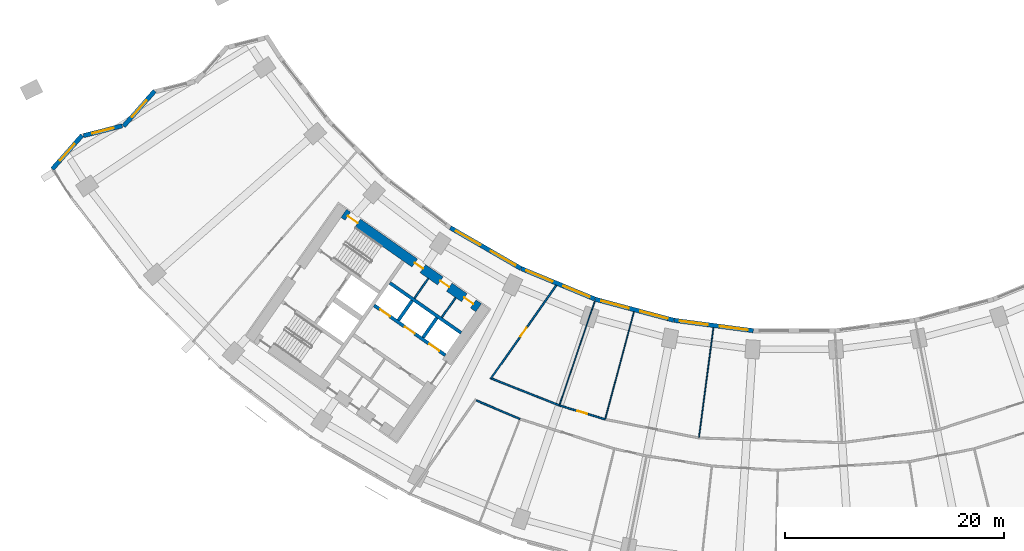
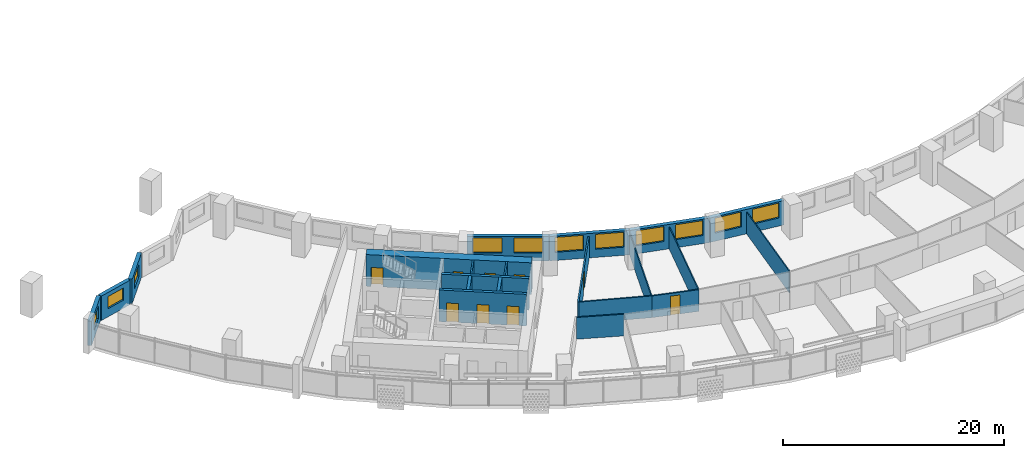
# One storey, part 4 of 31: 21 walls, 11 windows, 9 doors, 20 openings.
"""IFC4 building model written with IfcOpenShell, lengths in metres."""

from ifc_helpers import new_model, si_unit, direction, frame, frame_2d, origin, place, context, subcontext, project, spatial, rectangle, extrude, material, layer, layer_set, type_object, element, fill, save


model = new_model("IFC4")

# Units and contexts
model_context = context("Model", 3, precision=1e-05, world=origin(), true_north=direction((0.0, 1.0)))
body_context = subcontext(model_context, "Body", "Model", "MODEL_VIEW")
ifc_project = project(units=[si_unit("LENGTHUNIT", "METRE"), si_unit("AREAUNIT", "SQUARE_METRE"), si_unit("VOLUMEUNIT", "CUBIC_METRE"), si_unit("PLANEANGLEUNIT", "RADIAN"), si_unit("MASSUNIT", "GRAM", prefix="KILO")], contexts=[model_context])

# Site, building, storey
site_placement = place(None, origin())
site = spatial("IfcSite", under=ifc_project, at=site_placement, CompositionType="ELEMENT")
building_placement = place(site_placement, origin())
building = spatial("IfcBuilding", under=site, at=building_placement, Name="Qamariyya Broadcast Tower", CompositionType="ELEMENT")
storey_placement = place(building_placement, frame((0.0, 0.0, 74.699951171875)))
storey = spatial("IfcBuildingStorey", under=building, at=storey_placement, Name="L15", CompositionType="ELEMENT", Elevation=74.699951171875)

# Wall, openings, doors
ifc_material_1 = material(Name="Concrete C70/85", Category="concrete")
ifc_layer_1 = layer(ifc_material_1, 0.89990234375)
ifc_layer_set_1 = layer_set([ifc_layer_1], Name="Core wall 900 mm Concrete C70/85")
wall_type_1 = type_object("IfcWallType", Name="Core wall 900 mm Concrete C70/85", PredefinedType="SHEAR", material=ifc_layer_set_1)
wall_1_placement = place(storey_placement, frame((-28.8544921875, -54.32421875, 0.0), z_axis=(0.0, 0.0, 1.0), x_axis=(-0.819145767589, 0.573585400304, 0.0)))
wall_1 = element("IfcWall", 1, at=wall_1_placement, inside=storey, type_object=wall_type_1, Name="k-W-L15-WI", PredefinedType="SHEAR", context=body_context, shape_type="SweptSolid", body=[
    extrude(rectangle(XDim=15.04541015625, YDim=0.89990234375, at=frame_2d((7.522705078125, 0.0))), origin(), (0.0, 0.0, 1.0), 3.5),
])
opening_1_placement = place(wall_1_placement, frame((0.60009765625, 0.0, 0.0)))
opening_1 = element("IfcOpeningElement", 2, at=opening_1_placement, cuts=wall_1, Name="Opening KD7-W1", PredefinedType="OPENING", context=body_context, shape_type="SweptSolid", body=[
    extrude(rectangle(XDim=1.0, YDim=2.10009765625, at=frame_2d((0.5, 1.050048828125))), frame((0.0, 0.4599609375, 0.0), z_axis=(0.0, -1.0, 0.0), x_axis=(1.0, 0.0, 0.0)), (0.0, 0.0, 1.0), 0.919921875),
])
opening_2_placement = place(wall_1_placement, frame((3.27490234375, 0.0, 0.0)))
opening_2 = element("IfcOpeningElement", 3, at=opening_2_placement, cuts=wall_1, Name="Opening KD6-W2", PredefinedType="OPENING", context=body_context, shape_type="SweptSolid", body=[
    extrude(rectangle(XDim=1.0, YDim=2.10009765625, at=frame_2d((0.5, 1.050048828125))), frame((0.0, 0.4599609375, 0.0), z_axis=(0.0, -1.0, 0.0), x_axis=(1.0, 0.0, 0.0)), (0.0, 0.0, 1.0), 0.919921875),
])
opening_3_placement = place(wall_1_placement, frame((6.22509765625, 0.0, 0.0)))
opening_3 = element("IfcOpeningElement", 4, at=opening_3_placement, cuts=wall_1, Name="Opening KD5-W1", PredefinedType="OPENING", context=body_context, shape_type="SweptSolid", body=[
    extrude(rectangle(XDim=0.89990234375, YDim=2.10009765625, at=frame_2d((0.449951171875, 1.050048828125))), frame((0.0, 0.4599609375, 0.0), z_axis=(0.0, -1.0, 0.0), x_axis=(1.0, 0.0, 0.0)), (0.0, 0.0, 1.0), 0.919921875),
])
opening_4_placement = place(wall_1_placement, frame((13.495361328125, 0.0, 0.0)))
opening_4 = element("IfcOpeningElement", 5, at=opening_4_placement, cuts=wall_1, Name="Opening KD1-W1", PredefinedType="OPENING", context=body_context, shape_type="SweptSolid", body=[
    extrude(rectangle(XDim=1.10009765625, YDim=2.10009765625, at=frame_2d((0.550048828125, 1.050048828125))), frame((0.0, 0.4599609375, 0.0), z_axis=(0.0, -1.0, 0.0), x_axis=(1.0, 0.0, 0.0)), (0.0, 0.0, 1.0), 0.919921875),
])
ifc_material_2 = material(Name="Steel fire-resisting door leaf", Category="steel")
door_type_1 = type_object("IfcDoorType", Name="Accessible toilet door KD7", OperationType="SINGLE_SWING_LEFT", PredefinedType="DOOR", material=ifc_material_2)
door_1_placement = place(opening_1_placement, origin())
door_1 = element("IfcDoor", 6, at=door_1_placement, inside=storey, type_object=door_type_1, Name="k-W-L15-WI-D7", OperationType="SINGLE_SWING_RIGHT", OverallHeight=2.10009765625, OverallWidth=1.0, PredefinedType="DOOR", context=body_context, shape_type="SweptSolid", body=[
    extrude(rectangle(XDim=1.0, YDim=2.10009765625, at=frame_2d((0.5, 1.050048828125))), frame((0.0, 0.02490234375, 0.0), z_axis=(0.0, -1.0, 0.0), x_axis=(1.0, 0.0, 0.0)), (0.0, 0.0, 1.0), 0.050048828125),
])
fill(opening_1, door_1)
door_type_2 = type_object("IfcDoorType", Name="Core room door KD6", OperationType="SINGLE_SWING_LEFT", PredefinedType="DOOR", material=ifc_material_2)
door_2_placement = place(opening_2_placement, origin())
door_2 = element("IfcDoor", 7, at=door_2_placement, inside=storey, type_object=door_type_2, Name="k-W-L15-WI-D8", OperationType="SINGLE_SWING_LEFT", OverallHeight=2.10009765625, OverallWidth=1.0, PredefinedType="DOOR", context=body_context, shape_type="SweptSolid", body=[
    extrude(rectangle(XDim=1.0, YDim=2.10009765625, at=frame_2d((0.5, 1.050048828125))), frame((0.0, 0.02490234375, 0.0), z_axis=(0.0, -1.0, 0.0), x_axis=(1.0, 0.0, 0.0)), (0.0, 0.0, 1.0), 0.050048828125),
])
fill(opening_2, door_2)
door_type_3 = type_object("IfcDoorType", Name="Stair door KD1", OperationType="SINGLE_SWING_LEFT", PredefinedType="DOOR", material=ifc_material_2)
door_3_placement = place(opening_4_placement, origin())
door_3 = element("IfcDoor", 8, at=door_3_placement, inside=storey, type_object=door_type_3, Name="k-W-L15-WI-D16", OperationType="SINGLE_SWING_RIGHT", OverallHeight=2.10009765625, OverallWidth=1.10009765625, PredefinedType="DOOR", context=body_context, shape_type="SweptSolid", body=[
    extrude(rectangle(XDim=1.10009765625, YDim=2.10009765625, at=frame_2d((0.550048828125, 1.050048828125))), frame((0.0, 0.02490234375, 0.0), z_axis=(0.0, -1.0, 0.0), x_axis=(1.0, 0.0, 0.0)), (0.0, 0.0, 1.0), 0.050048828125),
])
fill(opening_4, door_3)
door_type_4 = type_object("IfcDoorType", Name="Toilet door KD5", OperationType="SINGLE_SWING_LEFT", PredefinedType="DOOR", material=ifc_material_2)
door_4_placement = place(opening_3_placement, origin())
door_4 = element("IfcDoor", 9, at=door_4_placement, inside=storey, type_object=door_type_4, Name="k-W-L15-WI-D9", OperationType="SINGLE_SWING_RIGHT", OverallHeight=2.10009765625, OverallWidth=0.89990234375, PredefinedType="DOOR", context=body_context, shape_type="SweptSolid", body=[
    extrude(rectangle(XDim=0.89990234375, YDim=2.10009765625, at=frame_2d((0.449951171875, 1.050048828125))), frame((0.0, 0.02490234375, 0.0), z_axis=(0.0, -1.0, 0.0), x_axis=(1.0, 0.0, 0.0)), (0.0, 0.0, 1.0), 0.050048828125),
])
fill(opening_3, door_4)

# Walls
ifc_material_3 = material(Name="Gypsum board partition")
ifc_layer_2 = layer(ifc_material_3, 0.14990234375)
ifc_layer_set_2 = layer_set([ifc_layer_2], Name="Corridor partition 150 EI 60")
wall_type_2 = type_object("IfcWallType", Name="Corridor partition 150 EI 60", PredefinedType="PARTITIONING", material=ifc_layer_set_2)
wall_2_placement = place(storey_placement, frame((-29.06201171875, -62.799072265625, 0.0), z_axis=(0.0, 0.0, 1.0), x_axis=(0.920023602502, -0.391862949052, 0.0)))
element("IfcWall", 10, at=wall_2_placement, inside=storey, type_object=wall_type_2, Name="Partition L15-003", PredefinedType="PARTITIONING", context=body_context, shape_type="SweptSolid", body=[
    extrude(rectangle(XDim=4.329345703125, YDim=0.14990234375, at=frame_2d((2.16455078125, 0.0))), origin(), (0.0, 0.0, 1.0), 2.400146484375),
])
wall_3_placement = place(storey_placement, frame((-27.6572265625, -60.801513671875, 0.0), z_axis=(0.0, 0.0, 1.0), x_axis=(0.929543215203, -0.368713182663, 0.0)))
element("IfcWall", 11, at=wall_3_placement, inside=storey, type_object=wall_type_2, Name="Partition L15-005", PredefinedType="PARTITIONING", context=body_context, shape_type="SweptSolid", body=[
    extrude(rectangle(XDim=6.65380859375, YDim=0.14990234375, at=frame_2d((3.326904296875, 0.0))), origin(), (0.0, 0.0, 1.0), 2.400146484375),
])

# Wall, opening, door
wall_4_placement = place(storey_placement, frame((-21.748291015625, -52.2763671875, 0.0), z_axis=(0.0, 0.0, 1.0), x_axis=(-0.575419434668, -0.817858468322, 0.0)))
wall_4 = element("IfcWall", 12, at=wall_4_placement, inside=storey, type_object=wall_type_2, Name="Partition L15-007", PredefinedType="PARTITIONING", context=body_context, shape_type="SweptSolid", body=[
    extrude(rectangle(XDim=10.46484375, YDim=0.14990234375, at=frame_2d((5.232421875, 0.0))), origin(), (0.0, 0.0, 1.0), 2.400146484375),
])
opening_5_placement = place(wall_4_placement, frame((4.732421875, 0.0, 0.0)))
opening_5 = element("IfcOpeningElement", 13, at=opening_5_placement, cuts=wall_4, Name="Opening L15-D10", PredefinedType="OPENING", context=body_context, shape_type="SweptSolid", body=[
    extrude(rectangle(XDim=1.0, YDim=2.10009765625, at=frame_2d((0.5, 1.050048828125))), frame((0.0, 0.0849609375, 0.0), z_axis=(0.0, -1.0, 0.0), x_axis=(1.0, 0.0, 0.0)), (0.0, 0.0, 1.0), 0.169921875),
])
ifc_material_4 = material(Name="Timber fire door leaf", Category="wood")
door_type_5 = type_object("IfcDoorType", Name="Fire door 1000 x 2100 FD60", OperationType="NOTDEFINED", PredefinedType="DOOR", material=ifc_material_4)
door_5_placement = place(opening_5_placement, origin())
door_5 = element("IfcDoor", 14, at=door_5_placement, inside=storey, type_object=door_type_5, Name="Door L15-D10", OperationType="SINGLE_SWING_RIGHT", OverallHeight=2.10009765625, OverallWidth=1.0, PredefinedType="DOOR", context=body_context, shape_type="SweptSolid", body=[
    extrude(rectangle(XDim=1.0, YDim=2.10009765625, at=frame_2d((0.5, 1.050048828125))), frame((0.0, 0.02490234375, 0.0), z_axis=(0.0, -1.0, 0.0), x_axis=(1.0, 0.0, 0.0)), (0.0, 0.0, 1.0), 0.050048828125),
])
fill(opening_5, door_5)

wall_5_placement = place(storey_placement, frame((-21.47216796875, -63.2548828125, 0.0), z_axis=(0.0, 0.0, 1.0), x_axis=(0.956933231095, -0.290308097072, 0.0)))
wall_5 = element("IfcWall", 15, at=wall_5_placement, inside=storey, type_object=wall_type_2, Name="Partition L15-008", PredefinedType="PARTITIONING", context=body_context, shape_type="SweptSolid", body=[
    extrude(rectangle(XDim=4.371337890625, YDim=0.14990234375, at=frame_2d((2.185546875, 0.0))), origin(), (0.0, 0.0, 1.0), 2.400146484375),
])
opening_6_placement = place(wall_5_placement, frame((1.735595703125, 0.0, 0.0)))
opening_6 = element("IfcOpeningElement", 16, at=opening_6_placement, cuts=wall_5, Name="Opening L15-D11", PredefinedType="OPENING", context=body_context, shape_type="SweptSolid", body=[
    extrude(rectangle(XDim=0.89990234375, YDim=2.10009765625, at=frame_2d((0.449951171875, 1.050048828125))), frame((0.0, 0.0849609375, 0.0), z_axis=(0.0, -1.0, 0.0), x_axis=(1.0, 0.0, 0.0)), (0.0, 0.0, 1.0), 0.169921875),
])
door_type_6 = type_object("IfcDoorType", Name="Fire door 900 x 2100 FD60", OperationType="NOTDEFINED", PredefinedType="DOOR", material=ifc_material_4)
door_6_placement = place(opening_6_placement, origin())
door_6 = element("IfcDoor", 17, at=door_6_placement, inside=storey, type_object=door_type_6, Name="Door L15-D11", OperationType="SINGLE_SWING_RIGHT", OverallHeight=2.10009765625, OverallWidth=0.89990234375, PredefinedType="DOOR", context=body_context, shape_type="SweptSolid", body=[
    extrude(rectangle(XDim=0.89990234375, YDim=2.10009765625, at=frame_2d((0.449951171875, 1.050048828125))), frame((0.0, 0.02490234375, 0.0), z_axis=(0.0, -1.0, 0.0), x_axis=(1.0, 0.0, 0.0)), (0.0, 0.0, 1.0), 0.050048828125),
])
fill(opening_6, door_6)

# Walls
ifc_material_5 = material(Name="Gypsum board partition on steel studs", Category="steel")
ifc_layer_3 = layer(ifc_material_5, 0.14990234375)
ifc_layer_set_3 = layer_set([ifc_layer_3], Name="Gypsum board partition 150 mm")
wall_type_3 = type_object("IfcWallType", Name="Gypsum board partition 150 mm", PredefinedType="PARTITIONING", material=ifc_layer_set_3)
wall_6_placement = place(storey_placement, frame((-32.2177734375, -55.204345703125, 0.0), z_axis=(0.0, 0.0, 1.0), x_axis=(0.573581496053, 0.819148501424, 0.0)))
element("IfcWall", 18, at=wall_6_placement, inside=storey, type_object=wall_type_3, Name="k-W-L15-NP225", PredefinedType="PARTITIONING", context=body_context, shape_type="SweptSolid", body=[
    extrude(rectangle(XDim=2.2001953125, YDim=0.14990234375, at=frame_2d((1.10009765625, 0.0))), origin(), (0.0, 0.0, 1.0), 3.5),
])
wall_7_placement = place(storey_placement, frame((-34.716064453125, -53.454833984375, 0.0), z_axis=(0.0, 0.0, 1.0), x_axis=(0.573507030513, 0.819200638399, 0.0)))
element("IfcWall", 19, at=wall_7_placement, inside=storey, type_object=wall_type_3, Name="k-W-L15-NP530", PredefinedType="PARTITIONING", context=body_context, shape_type="SweptSolid", body=[
    extrude(rectangle(XDim=2.199951171875, YDim=0.14990234375, at=frame_2d((1.10009765625, 0.0))), origin(), (0.0, 0.0, 1.0), 3.5),
])

# Wall, openings, doors
ifc_material_6 = material(Name="Concrete C60/75", Category="concrete")
ifc_layer_4 = layer(ifc_material_6, 0.300048828125)
ifc_layer_set_4 = layer_set([ifc_layer_4], Name="Lift shaft wall 300 mm Concrete C60/75")
wall_type_4 = type_object("IfcWallType", Name="Lift shaft wall 300 mm Concrete C60/75", PredefinedType="SOLIDWALL", material=ifc_layer_set_4)
wall_8_placement = place(storey_placement, frame((-31.89453125, -58.66552734375, 0.0), z_axis=(0.0, 0.0, 1.0), x_axis=(-0.819166993208, 0.573555086491, 0.0)))
wall_8 = element("IfcWall", 20, at=wall_8_placement, inside=storey, type_object=wall_type_4, Name="k-W-L15-NF0", PredefinedType="SOLIDWALL", context=body_context, shape_type="SweptSolid", body=[
    extrude(rectangle(XDim=7.9501953125, YDim=0.300048828125, at=frame_2d((3.97509765625, 0.0))), origin(), (0.0, 0.0, 1.0), 3.5),
])
opening_7_placement = place(wall_8_placement, frame((0.675048828125, 0.0, 0.0)))
opening_7 = element("IfcOpeningElement", 21, at=opening_7_placement, cuts=wall_8, Name="Opening LD", PredefinedType="OPENING", context=body_context, shape_type="SweptSolid", body=[
    extrude(rectangle(XDim=1.10009765625, YDim=2.10009765625, at=frame_2d((0.550048828125, 1.050048828125))), frame((0.0, 0.159912109375, 0.0), z_axis=(0.0, -1.0, 0.0), x_axis=(1.0, 0.0, 0.0)), (0.0, 0.0, 1.0), 0.320068359375),
])
opening_8_placement = place(wall_8_placement, frame((3.425048828125, 0.0, 0.0)))
opening_8 = element("IfcOpeningElement", 22, at=opening_8_placement, cuts=wall_8, Name="Opening LD", PredefinedType="OPENING", context=body_context, shape_type="SweptSolid", body=[
    extrude(rectangle(XDim=1.10009765625, YDim=2.10009765625, at=frame_2d((0.550048828125, 1.050048828125))), frame((0.0, 0.159912109375, 0.0), z_axis=(0.0, -1.0, 0.0), x_axis=(1.0, 0.0, 0.0)), (0.0, 0.0, 1.0), 0.320068359375),
])
opening_9_placement = place(wall_8_placement, frame((6.175048828125, 0.0, 0.0)))
opening_9 = element("IfcOpeningElement", 23, at=opening_9_placement, cuts=wall_8, Name="Opening LD", PredefinedType="OPENING", context=body_context, shape_type="SweptSolid", body=[
    extrude(rectangle(XDim=1.10009765625, YDim=2.10009765625, at=frame_2d((0.550048828125, 1.050048828125))), frame((0.0, 0.159912109375, 0.0), z_axis=(0.0, -1.0, 0.0), x_axis=(1.0, 0.0, 0.0)), (0.0, 0.0, 1.0), 0.320068359375),
])
door_type_7 = type_object("IfcDoorType", Name="Lift landing door LD", OperationType="DOUBLE_DOOR_SLIDING", PredefinedType="DOOR", material=ifc_material_2)
door_7_placement = place(opening_7_placement, origin())
door_7 = element("IfcDoor", 24, at=door_7_placement, inside=storey, type_object=door_type_7, Name="k-W-L15-NF0-D2", OperationType="DOUBLE_DOOR_SLIDING", OverallHeight=2.10009765625, OverallWidth=1.10009765625, PredefinedType="DOOR", context=body_context, shape_type="SweptSolid", body=[
    extrude(rectangle(XDim=1.10009765625, YDim=2.10009765625, at=frame_2d((0.550048828125, 1.050048828125))), frame((0.0, 0.02490234375, 0.0), z_axis=(0.0, -1.0, 0.0), x_axis=(1.0, 0.0, 0.0)), (0.0, 0.0, 1.0), 0.050048828125),
])
fill(opening_7, door_7)
door_8_placement = place(opening_8_placement, origin())
door_8 = element("IfcDoor", 25, at=door_8_placement, inside=storey, type_object=door_type_7, Name="k-W-L15-NF0-D3", OperationType="DOUBLE_DOOR_SLIDING", OverallHeight=2.10009765625, OverallWidth=1.10009765625, PredefinedType="DOOR", context=body_context, shape_type="SweptSolid", body=[
    extrude(rectangle(XDim=1.10009765625, YDim=2.10009765625, at=frame_2d((0.550048828125, 1.050048828125))), frame((0.0, 0.02490234375, 0.0), z_axis=(0.0, -1.0, 0.0), x_axis=(1.0, 0.0, 0.0)), (0.0, 0.0, 1.0), 0.050048828125),
])
fill(opening_8, door_8)
door_9_placement = place(opening_9_placement, origin())
door_9 = element("IfcDoor", 26, at=door_9_placement, inside=storey, type_object=door_type_7, Name="k-W-L15-NF0-D4", OperationType="DOUBLE_DOOR_SLIDING", OverallHeight=2.10009765625, OverallWidth=1.10009765625, PredefinedType="DOOR", context=body_context, shape_type="SweptSolid", body=[
    extrude(rectangle(XDim=1.10009765625, YDim=2.10009765625, at=frame_2d((0.550048828125, 1.050048828125))), frame((0.0, 0.02490234375, 0.0), z_axis=(0.0, -1.0, 0.0), x_axis=(1.0, 0.0, 0.0)), (0.0, 0.0, 1.0), 0.050048828125),
])
fill(opening_9, door_9)

# Walls
wall_9_placement = place(storey_placement, frame((-30.460693359375, -56.61767578125, 0.0), z_axis=(0.0, 0.0, 1.0), x_axis=(-0.819142461705, 0.573590121456, 0.0)))
element("IfcWall", 27, at=wall_9_placement, inside=storey, type_object=wall_type_4, Name="k-W-L15-NB0", PredefinedType="SOLIDWALL", context=body_context, shape_type="SweptSolid", body=[
    extrude(rectangle(XDim=7.949951171875, YDim=0.300048828125, at=frame_2d((3.97509765625, 0.0))), origin(), (0.0, 0.0, 1.0), 3.5),
])
wall_10_placement = place(storey_placement, frame((-33.9384765625, -57.051513671875, 0.0), z_axis=(0.0, 0.0, 1.0), x_axis=(0.573581496053, 0.819148501424, 0.0)))
element("IfcWall", 28, at=wall_10_placement, inside=storey, type_object=wall_type_4, Name="k-W-L15-ND0", PredefinedType="SOLIDWALL", context=body_context, shape_type="SweptSolid", body=[
    extrude(rectangle(XDim=2.2001953125, YDim=0.300048828125, at=frame_2d((1.10009765625, 0.0))), origin(), (0.0, 0.0, 1.0), 3.5),
])
wall_11_placement = place(storey_placement, frame((-36.19091796875, -55.47412109375, 0.0), z_axis=(0.0, 0.0, 1.0), x_axis=(0.573507030513, 0.819200638399, 0.0)))
element("IfcWall", 29, at=wall_11_placement, inside=storey, type_object=wall_type_4, Name="k-W-L15-ND1", PredefinedType="SOLIDWALL", context=body_context, shape_type="SweptSolid", body=[
    extrude(rectangle(XDim=2.199951171875, YDim=0.300048828125, at=frame_2d((1.10009765625, 0.0))), origin(), (0.0, 0.0, 1.0), 3.5),
])
ifc_layer_5 = layer(ifc_material_3, 0.10009765625)
ifc_layer_set_5 = layer_set([ifc_layer_5], Name="Partition 100")
wall_type_5 = type_object("IfcWallType", Name="Partition 100", PredefinedType="PARTITIONING", material=ifc_layer_set_5)
wall_12_placement = place(storey_placement, frame((-18.24169921875, -53.73828125, 0.0), z_axis=(0.0, 0.0, 1.0), x_axis=(-0.321436265026, -0.946931215837, 0.0)))
element("IfcWall", 30, at=wall_12_placement, inside=storey, type_object=wall_type_5, Name="Partition L15-010", PredefinedType="PARTITIONING", context=body_context, shape_type="SweptSolid", body=[
    extrude(rectangle(XDim=9.974853515625, YDim=0.10009765625, at=frame_2d((4.9873046875, 0.0))), origin(), (0.0, 0.0, 1.0), 2.400146484375),
])
for number, where, z_axis, x_axis, name in (
    (31, (-14.65673828125, -54.69970703125, 0.0), (0.0, 0.0, 1.0), (-0.258825935876, -0.965923979885, 0.0), "Partition L15-014"),
    (32, (-7.3916015625, -56.144775390625, 0.0), (0.0, 0.0, 1.0), (-0.130538336764, -0.991443262439, 0.0), "Partition L15-019"),
):
    element("IfcWall", number, at=place(storey_placement, frame(where, z_axis=z_axis, x_axis=x_axis)), inside=storey, type_object=wall_type_5, Name=name, PredefinedType="PARTITIONING", context=body_context, shape_type="SweptSolid", body=[
        extrude(rectangle(XDim=10.095703125, YDim=0.10009765625, at=frame_2d((5.0478515625, 0.0))), origin(), (0.0, 0.0, 1.0), 2.400146484375),
    ])

# Wall, opening, window
ifc_material_7 = material(Name="Terracotta", Category="masonry")
ifc_layer_6 = layer(ifc_material_7, 0.39990234375)
ifc_layer_set_6 = layer_set([ifc_layer_6], Name="Terracotta clad wall 400")
wall_type_6 = type_object("IfcWallType", Name="Terracotta clad wall 400", PredefinedType="SOLIDWALL", material=ifc_layer_set_6)
wall_13_placement = place(storey_placement, frame((-58.46826171875, -34.508056640625, 0.0), z_axis=(0.0, 0.0, 1.0), x_axis=(-0.662099063423, -0.749416326359, 0.0)))
wall_13 = element("IfcWall", 33, at=wall_13_placement, inside=storey, type_object=wall_type_6, Name="e-wl-L15-capW3", PredefinedType="SOLIDWALL", context=body_context, shape_type="SweptSolid", body=[
    extrude(rectangle(XDim=4.294677734375, YDim=0.39990234375, at=frame_2d((2.1474609375, 0.0))), origin(), (0.0, 0.0, 1.0), 2.699951171875),
])
opening_10_placement = place(wall_13_placement, frame((1.147216796875, 0.0, 0.89990234375)))
opening_10 = element("IfcOpeningElement", 34, at=opening_10_placement, cuts=wall_13, Name="Opening W4", PredefinedType="OPENING", context=body_context, shape_type="SweptSolid", body=[
    extrude(rectangle(XDim=2.0, YDim=1.35009765625, at=frame_2d((1.0, 0.675048828125))), frame((0.0, 0.2099609375, 0.0), z_axis=(0.0, -1.0, 0.0), x_axis=(1.0, 0.0, 0.0)), (0.0, 0.0, 1.0), 0.419921875),
])
ifc_material_8 = material(Name="Clear low-e double glazed unit in aluminium frame", Category="aluminium")
window_type_1 = type_object("IfcWindowType", Name="Horn bay window 2000 x 1350", PartitioningType="SINGLE_PANEL", PredefinedType="WINDOW", material=ifc_material_8)
window_1_placement = place(opening_10_placement, origin())
window_1 = element("IfcWindow", 35, at=window_1_placement, inside=storey, type_object=window_type_1, Name="e-w-L15-capW3", OverallHeight=1.35009765625, OverallWidth=2.0, PartitioningType="SINGLE_PANEL", PredefinedType="WINDOW", context=body_context, shape_type="SweptSolid", body=[
    extrude(rectangle(XDim=2.0, YDim=1.35009765625, at=frame_2d((1.0, 0.675048828125))), frame((0.0, 0.030029296875, 0.0), z_axis=(0.0, -1.0, 0.0), x_axis=(1.0, 0.0, 0.0)), (0.0, 0.0, 1.0), 0.06005859375),
])
fill(opening_10, window_1)

wall_14_placement = place(storey_placement, frame((-61.43603515625, -37.69384765625, 0.0), z_axis=(0.0, 0.0, 1.0), x_axis=(-0.969429874481, -0.245368536011, 0.0)))
wall_14 = element("IfcWall", 36, at=wall_14_placement, inside=storey, type_object=wall_type_6, Name="e-wl-L15-capW4", PredefinedType="SOLIDWALL", context=body_context, shape_type="SweptSolid", body=[
    extrude(rectangle(XDim=3.648681640625, YDim=0.39990234375, at=frame_2d((1.82421875, 0.0))), origin(), (0.0, 0.0, 1.0), 2.699951171875),
])
opening_11_placement = place(wall_14_placement, frame((0.824462890625, 0.0, 0.89990234375)))
opening_11 = element("IfcOpeningElement", 37, at=opening_11_placement, cuts=wall_14, Name="Opening W4", PredefinedType="OPENING", context=body_context, shape_type="SweptSolid", body=[
    extrude(rectangle(XDim=2.0, YDim=1.35009765625, at=frame_2d((1.0, 0.675048828125))), frame((0.0, 0.2099609375, 0.0), z_axis=(0.0, -1.0, 0.0), x_axis=(1.0, 0.0, 0.0)), (0.0, 0.0, 1.0), 0.419921875),
])
window_2_placement = place(opening_11_placement, origin())
window_2 = element("IfcWindow", 38, at=window_2_placement, inside=storey, type_object=window_type_1, Name="e-w-L15-capW4", OverallHeight=1.35009765625, OverallWidth=2.0, PartitioningType="SINGLE_PANEL", PredefinedType="WINDOW", context=body_context, shape_type="SweptSolid", body=[
    extrude(rectangle(XDim=2.0, YDim=1.35009765625, at=frame_2d((1.0, 0.675048828125))), frame((0.0, 0.030029296875, 0.0), z_axis=(0.0, -1.0, 0.0), x_axis=(1.0, 0.0, 0.0)), (0.0, 0.0, 1.0), 0.06005859375),
])
fill(opening_11, window_2)

wall_15_placement = place(storey_placement, frame((-65.09765625, -38.556640625, 0.0), z_axis=(0.0, 0.0, 1.0), x_axis=(-0.662040770151, -0.749467823631, 0.0)))
wall_15 = element("IfcWall", 39, at=wall_15_placement, inside=storey, type_object=wall_type_6, Name="e-wl-L15-capW5", PredefinedType="SOLIDWALL", context=body_context, shape_type="SweptSolid", body=[
    extrude(rectangle(XDim=4.121826171875, YDim=0.39990234375, at=frame_2d((2.06103515625, 0.0))), origin(), (0.0, 0.0, 1.0), 2.699951171875),
])
opening_12_placement = place(wall_15_placement, frame((1.060791015625, 0.0, 0.89990234375)))
opening_12 = element("IfcOpeningElement", 40, at=opening_12_placement, cuts=wall_15, Name="Opening W4", PredefinedType="OPENING", context=body_context, shape_type="SweptSolid", body=[
    extrude(rectangle(XDim=2.0, YDim=1.35009765625, at=frame_2d((1.0, 0.675048828125))), frame((0.0, 0.2099609375, 0.0), z_axis=(0.0, -1.0, 0.0), x_axis=(1.0, 0.0, 0.0)), (0.0, 0.0, 1.0), 0.419921875),
])
window_3_placement = place(opening_12_placement, origin())
window_3 = element("IfcWindow", 41, at=window_3_placement, inside=storey, type_object=window_type_1, Name="e-w-L15-capW5", OverallHeight=1.35009765625, OverallWidth=2.0, PartitioningType="SINGLE_PANEL", PredefinedType="WINDOW", context=body_context, shape_type="SweptSolid", body=[
    extrude(rectangle(XDim=2.0, YDim=1.35009765625, at=frame_2d((1.0, 0.675048828125))), frame((0.0, 0.030029296875, 0.0), z_axis=(0.0, -1.0, 0.0), x_axis=(1.0, 0.0, 0.0)), (0.0, 0.0, 1.0), 0.06005859375),
])
fill(opening_12, window_3)

# Wall, openings, windows
wall_16_placement = place(storey_placement, frame((-24.989990234375, -50.73095703125, 0.0), z_axis=(0.0, 0.0, 1.0), x_axis=(-0.866037641005, 0.499978803913, 0.0)))
wall_16 = element("IfcWall", 42, at=wall_16_placement, inside=storey, type_object=wall_type_6, Name="e-wl-L15-in40", PredefinedType="SOLIDWALL", context=body_context, shape_type="SweptSolid", body=[
    extrude(rectangle(XDim=7.447021484375, YDim=0.39990234375, at=frame_2d((3.7236328125, 0.0))), origin(), (0.0, 0.0, 1.0), 2.699951171875),
])
opening_13_placement = place(wall_16_placement, frame((4.266357421875, 0.0, 0.89990234375)))
opening_13 = element("IfcOpeningElement", 43, at=opening_13_placement, cuts=wall_16, Name="Opening W1", PredefinedType="OPENING", context=body_context, shape_type="SweptSolid", body=[
    extrude(rectangle(XDim=2.60009765625, YDim=1.64990234375, at=frame_2d((1.300048828125, 0.824951171875))), frame((0.0, 0.2099609375, 0.0), z_axis=(0.0, -1.0, 0.0), x_axis=(1.0, 0.0, 0.0)), (0.0, 0.0, 1.0), 0.419921875),
])
opening_14_placement = place(wall_16_placement, frame((0.580810546875, 0.0, 0.89990234375)))
opening_14 = element("IfcOpeningElement", 44, at=opening_14_placement, cuts=wall_16, Name="Opening W1", PredefinedType="OPENING", context=body_context, shape_type="SweptSolid", body=[
    extrude(rectangle(XDim=2.60009765625, YDim=1.64990234375, at=frame_2d((1.300048828125, 0.824951171875))), frame((0.0, 0.2099609375, 0.0), z_axis=(0.0, -1.0, 0.0), x_axis=(1.0, 0.0, 0.0)), (0.0, 0.0, 1.0), 0.419921875),
])
window_type_2 = type_object("IfcWindowType", Name="Ribbon window 2600 x 1650", PartitioningType="SINGLE_PANEL", PredefinedType="WINDOW", material=ifc_material_8)
window_4_placement = place(opening_13_placement, origin())
window_4 = element("IfcWindow", 45, at=window_4_placement, inside=storey, type_object=window_type_2, Name="e-w-L15-in04-0", OverallHeight=1.64990234375, OverallWidth=2.60009765625, PartitioningType="SINGLE_PANEL", PredefinedType="WINDOW", context=body_context, shape_type="SweptSolid", body=[
    extrude(rectangle(XDim=2.60009765625, YDim=1.64990234375, at=frame_2d((1.300048828125, 0.824951171875))), frame((0.0, 0.030029296875, 0.0), z_axis=(0.0, -1.0, 0.0), x_axis=(1.0, 0.0, 0.0)), (0.0, 0.0, 1.0), 0.06005859375),
])
fill(opening_13, window_4)
window_5_placement = place(opening_14_placement, origin())
window_5 = element("IfcWindow", 46, at=window_5_placement, inside=storey, type_object=window_type_2, Name="e-w-L15-in04-1", OverallHeight=1.64990234375, OverallWidth=2.60009765625, PartitioningType="SINGLE_PANEL", PredefinedType="WINDOW", context=body_context, shape_type="SweptSolid", body=[
    extrude(rectangle(XDim=2.60009765625, YDim=1.64990234375, at=frame_2d((1.300048828125, 0.824951171875))), frame((0.0, 0.030029296875, 0.0), z_axis=(0.0, -1.0, 0.0), x_axis=(1.0, 0.0, 0.0)), (0.0, 0.0, 1.0), 0.06005859375),
])
fill(opening_14, window_5)

wall_17_placement = place(storey_placement, frame((-18.224365234375, -53.52978515625, 0.0), z_axis=(0.0, 0.0, 1.0), x_axis=(-0.923891626322, 0.382654234018, 0.0)))
wall_17 = element("IfcWall", 47, at=wall_17_placement, inside=storey, type_object=wall_type_6, Name="e-wl-L15-in50", PredefinedType="SOLIDWALL", context=body_context, shape_type="SweptSolid", body=[
    extrude(rectangle(XDim=7.295654296875, YDim=0.39990234375, at=frame_2d((3.64794921875, 0.0))), origin(), (0.0, 0.0, 1.0), 2.699951171875),
])
opening_15_placement = place(wall_17_placement, frame((4.190673828125, 0.0, 0.89990234375)))
opening_15 = element("IfcOpeningElement", 48, at=opening_15_placement, cuts=wall_17, Name="Opening W1", PredefinedType="OPENING", context=body_context, shape_type="SweptSolid", body=[
    extrude(rectangle(XDim=2.60009765625, YDim=1.64990234375, at=frame_2d((1.300048828125, 0.824951171875))), frame((0.0, 0.2099609375, 0.0), z_axis=(0.0, -1.0, 0.0), x_axis=(1.0, 0.0, 0.0)), (0.0, 0.0, 1.0), 0.419921875),
])
opening_16_placement = place(wall_17_placement, frame((0.505126953125, 0.0, 0.89990234375)))
opening_16 = element("IfcOpeningElement", 49, at=opening_16_placement, cuts=wall_17, Name="Opening W1", PredefinedType="OPENING", context=body_context, shape_type="SweptSolid", body=[
    extrude(rectangle(XDim=2.60009765625, YDim=1.64990234375, at=frame_2d((1.300048828125, 0.824951171875))), frame((0.0, 0.2099609375, 0.0), z_axis=(0.0, -1.0, 0.0), x_axis=(1.0, 0.0, 0.0)), (0.0, 0.0, 1.0), 0.419921875),
])
window_6_placement = place(opening_15_placement, origin())
window_6 = element("IfcWindow", 50, at=window_6_placement, inside=storey, type_object=window_type_2, Name="e-w-L15-in05-0", OverallHeight=1.64990234375, OverallWidth=2.60009765625, PartitioningType="SINGLE_PANEL", PredefinedType="WINDOW", context=body_context, shape_type="SweptSolid", body=[
    extrude(rectangle(XDim=2.60009765625, YDim=1.64990234375, at=frame_2d((1.300048828125, 0.824951171875))), frame((0.0, 0.030029296875, 0.0), z_axis=(0.0, -1.0, 0.0), x_axis=(1.0, 0.0, 0.0)), (0.0, 0.0, 1.0), 0.06005859375),
])
fill(opening_15, window_6)
window_7_placement = place(opening_16_placement, origin())
window_7 = element("IfcWindow", 51, at=window_7_placement, inside=storey, type_object=window_type_2, Name="e-w-L15-in05-1", OverallHeight=1.64990234375, OverallWidth=2.60009765625, PartitioningType="SINGLE_PANEL", PredefinedType="WINDOW", context=body_context, shape_type="SweptSolid", body=[
    extrude(rectangle(XDim=2.60009765625, YDim=1.64990234375, at=frame_2d((1.300048828125, 0.824951171875))), frame((0.0, 0.030029296875, 0.0), z_axis=(0.0, -1.0, 0.0), x_axis=(1.0, 0.0, 0.0)), (0.0, 0.0, 1.0), 0.06005859375),
])
fill(opening_16, window_7)

wall_18_placement = place(storey_placement, frame((-11.00830078125, -55.47021484375, 0.0), z_axis=(0.0, 0.0, 1.0), x_axis=(-0.965924637935, 0.25882348006, 0.0)))
wall_18 = element("IfcWall", 52, at=wall_18_placement, inside=storey, type_object=wall_type_6, Name="e-wl-L15-in60", PredefinedType="SOLIDWALL", context=body_context, shape_type="SweptSolid", body=[
    extrude(rectangle(XDim=7.447021484375, YDim=0.39990234375, at=frame_2d((3.7236328125, 0.0))), origin(), (0.0, 0.0, 1.0), 2.699951171875),
])
opening_17_placement = place(wall_18_placement, frame((4.266357421875, 0.0, 0.89990234375)))
opening_17 = element("IfcOpeningElement", 53, at=opening_17_placement, cuts=wall_18, Name="Opening W1", PredefinedType="OPENING", context=body_context, shape_type="SweptSolid", body=[
    extrude(rectangle(XDim=2.60009765625, YDim=1.64990234375, at=frame_2d((1.300048828125, 0.824951171875))), frame((0.0, 0.2099609375, 0.0), z_axis=(0.0, -1.0, 0.0), x_axis=(1.0, 0.0, 0.0)), (0.0, 0.0, 1.0), 0.419921875),
])
opening_18_placement = place(wall_18_placement, frame((0.580810546875, 0.0, 0.89990234375)))
opening_18 = element("IfcOpeningElement", 54, at=opening_18_placement, cuts=wall_18, Name="Opening W1", PredefinedType="OPENING", context=body_context, shape_type="SweptSolid", body=[
    extrude(rectangle(XDim=2.60009765625, YDim=1.64990234375, at=frame_2d((1.300048828125, 0.824951171875))), frame((0.0, 0.2099609375, 0.0), z_axis=(0.0, -1.0, 0.0), x_axis=(1.0, 0.0, 0.0)), (0.0, 0.0, 1.0), 0.419921875),
])
window_8_placement = place(opening_17_placement, origin())
window_8 = element("IfcWindow", 55, at=window_8_placement, inside=storey, type_object=window_type_2, Name="e-w-L15-in06-0", OverallHeight=1.64990234375, OverallWidth=2.60009765625, PartitioningType="SINGLE_PANEL", PredefinedType="WINDOW", context=body_context, shape_type="SweptSolid", body=[
    extrude(rectangle(XDim=2.60009765625, YDim=1.64990234375, at=frame_2d((1.300048828125, 0.824951171875))), frame((0.0, 0.030029296875, 0.0), z_axis=(0.0, -1.0, 0.0), x_axis=(1.0, 0.0, 0.0)), (0.0, 0.0, 1.0), 0.06005859375),
])
fill(opening_17, window_8)
window_9_placement = place(opening_18_placement, origin())
window_9 = element("IfcWindow", 56, at=window_9_placement, inside=storey, type_object=window_type_2, Name="e-w-L15-in06-1", OverallHeight=1.64990234375, OverallWidth=2.60009765625, PartitioningType="SINGLE_PANEL", PredefinedType="WINDOW", context=body_context, shape_type="SweptSolid", body=[
    extrude(rectangle(XDim=2.60009765625, YDim=1.64990234375, at=frame_2d((1.300048828125, 0.824951171875))), frame((0.0, 0.030029296875, 0.0), z_axis=(0.0, -1.0, 0.0), x_axis=(1.0, 0.0, 0.0)), (0.0, 0.0, 1.0), 0.06005859375),
])
fill(opening_18, window_9)

wall_19_placement = place(storey_placement, frame((-3.748779296875, -56.422607421875, 0.0), z_axis=(0.0, 0.0, 1.0), x_axis=(-0.99144746031, 0.130506449818, 0.0)))
wall_19 = element("IfcWall", 57, at=wall_19_placement, inside=storey, type_object=wall_type_6, Name="e-wl-L15-in70", PredefinedType="SOLIDWALL", context=body_context, shape_type="SweptSolid", body=[
    extrude(rectangle(XDim=7.2958984375, YDim=0.39990234375, at=frame_2d((3.64794921875, 0.0))), origin(), (0.0, 0.0, 1.0), 2.699951171875),
])
opening_19_placement = place(wall_19_placement, frame((4.190673828125, 0.0, 0.89990234375)))
opening_19 = element("IfcOpeningElement", 58, at=opening_19_placement, cuts=wall_19, Name="Opening W1", PredefinedType="OPENING", context=body_context, shape_type="SweptSolid", body=[
    extrude(rectangle(XDim=2.60009765625, YDim=1.64990234375, at=frame_2d((1.300048828125, 0.824951171875))), frame((0.0, 0.2099609375, 0.0), z_axis=(0.0, -1.0, 0.0), x_axis=(1.0, 0.0, 0.0)), (0.0, 0.0, 1.0), 0.419921875),
])
opening_20_placement = place(wall_19_placement, frame((0.505126953125, 0.0, 0.89990234375)))
opening_20 = element("IfcOpeningElement", 59, at=opening_20_placement, cuts=wall_19, Name="Opening W1", PredefinedType="OPENING", context=body_context, shape_type="SweptSolid", body=[
    extrude(rectangle(XDim=2.60009765625, YDim=1.64990234375, at=frame_2d((1.300048828125, 0.824951171875))), frame((0.0, 0.2099609375, 0.0), z_axis=(0.0, -1.0, 0.0), x_axis=(1.0, 0.0, 0.0)), (0.0, 0.0, 1.0), 0.419921875),
])
window_10_placement = place(opening_19_placement, origin())
window_10 = element("IfcWindow", 60, at=window_10_placement, inside=storey, type_object=window_type_2, Name="e-w-L15-in07-0", OverallHeight=1.64990234375, OverallWidth=2.60009765625, PartitioningType="SINGLE_PANEL", PredefinedType="WINDOW", context=body_context, shape_type="SweptSolid", body=[
    extrude(rectangle(XDim=2.60009765625, YDim=1.64990234375, at=frame_2d((1.300048828125, 0.824951171875))), frame((0.0, 0.030029296875, 0.0), z_axis=(0.0, -1.0, 0.0), x_axis=(1.0, 0.0, 0.0)), (0.0, 0.0, 1.0), 0.06005859375),
])
fill(opening_19, window_10)
window_11_placement = place(opening_20_placement, origin())
window_11 = element("IfcWindow", 61, at=window_11_placement, inside=storey, type_object=window_type_2, Name="e-w-L15-in07-1", OverallHeight=1.64990234375, OverallWidth=2.60009765625, PartitioningType="SINGLE_PANEL", PredefinedType="WINDOW", context=body_context, shape_type="SweptSolid", body=[
    extrude(rectangle(XDim=2.60009765625, YDim=1.64990234375, at=frame_2d((1.300048828125, 0.824951171875))), frame((0.0, 0.030029296875, 0.0), z_axis=(0.0, -1.0, 0.0), x_axis=(1.0, 0.0, 0.0)), (0.0, 0.0, 1.0), 0.06005859375),
])
fill(opening_20, window_11)

save(model, "model.ifc")
